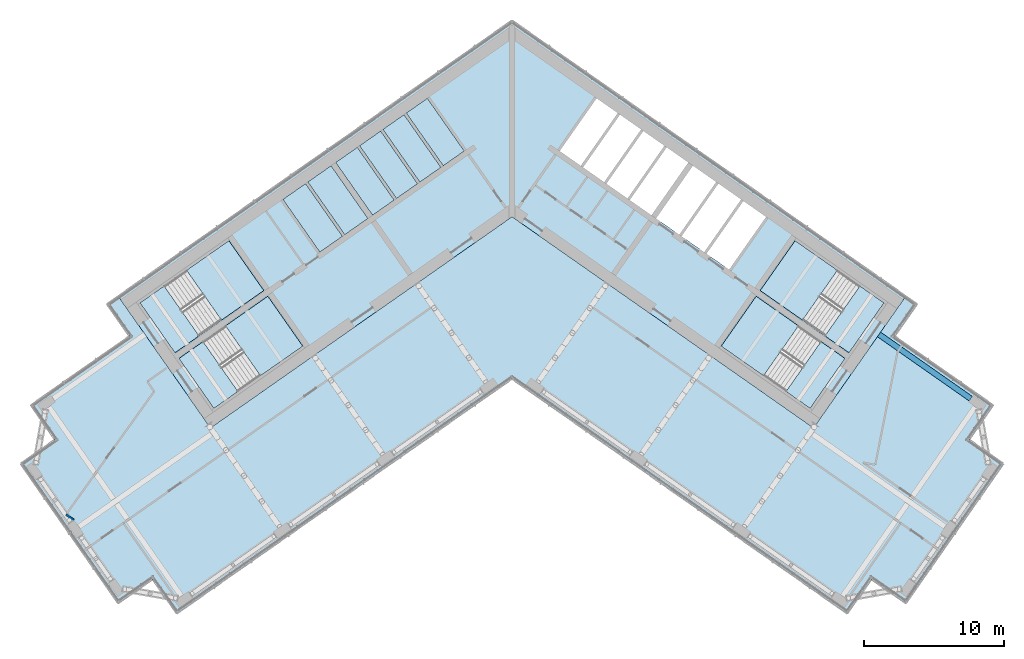
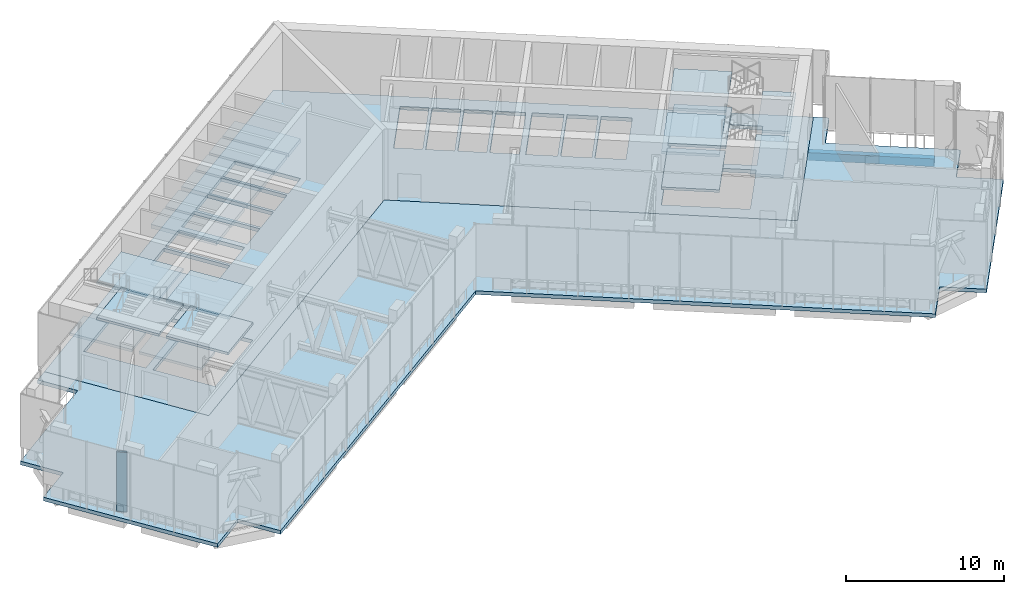
# One storey, part 3 of 19: 20 slabs, 1 beam, 1 wall, 4 elements without a shape of their own.
"""IFC4 building model written with IfcOpenShell, lengths in metres."""

import ifcopenshell
import ifcopenshell.guid

model = None  # the IFC model being written
_history = None  # IfcOwnerHistory: only IFC2X3 demands one
_inside = {}  # id of a spatial element -> (the spatial element, [elements in it])
_under = {}  # id of a project, library or spatial element -> (it, [spatial elements below it])
_declared = {}  # id of a project -> (the project, [libraries it declares])
_typed = {}  # id of a type object -> (the type object, [elements of that type])
_made_of = {}  # id of a material, layer set ... -> (it, [elements and type objects made of it])


def new_model(schema):
    """Start an empty IFC model of exactly this schema.

    Asked for "IFC4X3", IfcOpenShell would pick the latest addendum, in which some entities
    have other attributes; the version numbers below select the first issue.
    IFC2X3 requires an IfcOwnerHistory on every rooted entity: one is made here for all.
    """
    global model, _history
    if schema == "IFC4X3":
        model = ifcopenshell.file(schema_version=(4, 3, 0, 0))
    else:
        model = ifcopenshell.file(schema=schema)
    _inside.clear()
    _under.clear()
    _declared.clear()
    _typed.clear()
    _made_of.clear()
    _history = None
    if model.schema == "IFC2X3":
        org = make("IfcOrganization", Name="unknown")
        user = make(
            "IfcPersonAndOrganization",
            ThePerson=make("IfcPerson", FamilyName="unknown"),
            TheOrganization=org,
        )
        app = make(
            "IfcApplication",
            ApplicationDeveloper=org,
            Version="unknown",
            ApplicationFullName="unknown",
            ApplicationIdentifier="unknown",
        )
        _history = make(
            "IfcOwnerHistory",
            OwningUser=user,
            OwningApplication=app,
            ChangeAction="ADDED",
            CreationDate=0,
        )
    return model


def make(cls, **values):
    """One entity of the class cls with the attributes given. An attribute that is None is left unset."""
    return model.create_entity(
        cls, **{name: value for name, value in values.items() if value is not None}
    )


def rooted(cls, **values):
    """An entity with a GlobalId (a new one), such as an element, a storey or a relation."""
    return make(cls, GlobalId=ifcopenshell.guid.new(), OwnerHistory=_history, **values)


def si_unit(unit_type, name, prefix=None):
    """IfcSIUnit, for example si_unit("LENGTHUNIT", "METRE", prefix="MILLI")."""
    return make("IfcSIUnit", UnitType=unit_type, Prefix=prefix, Name=name)


def assignment(units):
    """IfcUnitAssignment: the units of a project."""
    return None if units is None else make("IfcUnitAssignment", Units=units)


def point(xyz):
    """IfcCartesianPoint."""
    return None if xyz is None else make("IfcCartesianPoint", Coordinates=xyz)


def direction(xyz):
    """IfcDirection."""
    return None if xyz is None else make("IfcDirection", DirectionRatios=xyz)


def frame(location, z_axis=None, x_axis=None):
    """IfcAxis2Placement3D, a coordinate frame: its origin and axes. An axis left out is left unset."""
    return make(
        "IfcAxis2Placement3D",
        Location=point(location),
        Axis=direction(z_axis),
        RefDirection=direction(x_axis),
    )


def frame_2d(location, x_axis=None):
    """IfcAxis2Placement2D, a coordinate frame in the plane: its origin and x axis."""
    return make(
        "IfcAxis2Placement2D", Location=point(location), RefDirection=direction(x_axis)
    )


def origin():
    """The frame at (0, 0, 0) with its axes left unset."""
    return frame((0.0, 0.0, 0.0))


def origin_2d():
    """The frame at (0, 0) in the plane with its x axis left unset."""
    return frame_2d((0.0, 0.0))


def place(relative_to, where):
    """IfcLocalPlacement: puts the frame where relative to a parent placement (None: the world)."""
    return make(
        "IfcLocalPlacement", PlacementRelTo=relative_to, RelativePlacement=where
    )


def context(
    kind, dimensions, precision=None, world=None, true_north=None, identifier=None
):
    """IfcGeometricRepresentationContext, for example the 3D "Model" context."""
    return make(
        "IfcGeometricRepresentationContext",
        ContextIdentifier=identifier,
        ContextType=kind,
        CoordinateSpaceDimension=dimensions,
        Precision=precision,
        WorldCoordinateSystem=world,
        TrueNorth=true_north,
    )


def subcontext(parent, identifier, kind, view, scale=None):
    """IfcGeometricRepresentationSubContext, for example "Body" below "Model"."""
    return make(
        "IfcGeometricRepresentationSubContext",
        ContextIdentifier=identifier,
        ContextType=kind,
        ParentContext=parent,
        TargetScale=scale,
        TargetView=view,
    )


def project(units=None, contexts=None):
    """IfcProject with its units and contexts."""
    return rooted(
        "IfcProject",
        Name="project",
        RepresentationContexts=contexts,
        UnitsInContext=assignment(units),
    )


def spatial(cls, under=None, at=None, **own):
    """A site, building, storey or space (cls), placed at a placement, below another one or the project."""
    s = rooted(cls, ObjectPlacement=at, **own)
    if under is not None:
        _under.setdefault(under.id(), (under, []))[1].append(s)
    return s


def polyline(points):
    """IfcPolyline through the points."""
    return make("IfcPolyline", Points=[point(p) for p in points])


def profile(cls, at=None, kind="AREA", **sizes):
    """A parametric profile (cls). Its sizes go by their IFC names, for example OverallWidth=200.0."""
    return make(cls, ProfileType=kind, Position=at, **sizes)


def rectangle(**sizes):
    """IfcRectangleProfileDef."""
    return profile("IfcRectangleProfileDef", **sizes)


def outline(outer, holes=None, kind="AREA"):
    """IfcArbitraryClosedProfileDef: a profile drawn as a closed curve; with holes, ...WithVoids."""
    if holes is None:
        return make("IfcArbitraryClosedProfileDef", ProfileType=kind, OuterCurve=outer)
    return make(
        "IfcArbitraryProfileDefWithVoids",
        ProfileType=kind,
        OuterCurve=outer,
        InnerCurves=holes,
    )


def extrude(swept, where, along, depth):
    """IfcExtrudedAreaSolid: the profile swept, set in the frame where, extruded along a direction by depth."""
    return make(
        "IfcExtrudedAreaSolid",
        SweptArea=swept,
        Position=where,
        ExtrudedDirection=direction(along),
        Depth=depth,
    )


def shape(context_of_items, identifier, shape_type, items):
    """IfcShapeRepresentation: the items that make up one representation, for example the "Body"."""
    return make(
        "IfcShapeRepresentation",
        ContextOfItems=context_of_items,
        RepresentationIdentifier=identifier,
        RepresentationType=shape_type,
        Items=items,
    )


def material(Name=None, Category=None):
    """IfcMaterial."""
    return make("IfcMaterial", Name=Name, Category=Category)


def layer(
    of_material, thickness, ventilated=None, Name=None, Category=None, Priority=None
):
    """IfcMaterialLayer: one layer of a wall or slab, of a material (None: an air gap)."""
    return make(
        "IfcMaterialLayer",
        Material=of_material,
        LayerThickness=thickness,
        IsVentilated=ventilated,
        Name=Name,
        Category=Category,
        Priority=Priority,
    )


def layer_set(layers, Name=None):
    """IfcMaterialLayerSet."""
    return make("IfcMaterialLayerSet", MaterialLayers=layers, LayerSetName=Name)


def material_profile(
    of_material, cross_section, Name=None, Category=None, Priority=None
):
    """IfcMaterialProfile: a cross section and its material."""
    return make(
        "IfcMaterialProfile",
        Name=Name,
        Material=of_material,
        Profile=cross_section,
        Priority=Priority,
        Category=Category,
    )


def profile_set(profiles, Name=None, composite=None):
    """IfcMaterialProfileSet."""
    return make(
        "IfcMaterialProfileSet",
        Name=Name,
        MaterialProfiles=profiles,
        CompositeProfile=composite,
    )


def made_of(thing, what):
    """Note that an element or type object is made of a material, layer set ...; save() writes the relation."""
    if what is not None:
        _made_of.setdefault(what.id(), (what, []))[1].append(thing)
    return thing


def type_object(cls, material=None, **own):
    """A type object (cls), such as IfcWallType, which elements share."""
    return made_of(rooted(cls, **own), material)


def element(
    cls,
    number,
    at=None,
    inside=None,
    cuts=None,
    type_object=None,
    material=None,
    context=None,
    identifier="Body",
    shape_type=None,
    held_by="IfcProductDefinitionShape",
    body=None,
    shapes=None,
    **own,
):
    """One element of the class cls, such as IfcWall. Its Tag is "e" and its number.

    at: its placement. inside: the storey or other place that contains it. cuts: it is an
    opening in that element (IfcRelVoidsElement). A single representation is given by context,
    identifier, shape_type and body (its items); several are given by shapes. held_by: the class
    of the entity that holds the representations. save() writes the other relations.
    """
    e = rooted(cls, Tag="e%d" % number, ObjectPlacement=at, **own)
    if body is not None:
        shapes = [shape(context, identifier, shape_type, body)]
    if shapes is not None:
        e.Representation = make(held_by, Representations=shapes)
    if inside is not None:
        _inside.setdefault(inside.id(), (inside, []))[1].append(e)
    if cuts is not None:
        rooted(
            "IfcRelVoidsElement", RelatingBuildingElement=cuts, RelatedOpeningElement=e
        )
    if type_object is not None:
        _typed.setdefault(type_object.id(), (type_object, []))[1].append(e)
    return made_of(e, material)


def aggregate(whole, parts):
    """IfcRelAggregates: a whole, such as a stair, and the parts it consists of."""
    return rooted("IfcRelAggregates", RelatingObject=whole, RelatedObjects=parts)


def save(model, path):
    """Write the relations noted so far, then the file.

    IfcRelAggregates (storeys below a building ...), IfcRelContainedInSpatialStructure (elements
    in a storey), IfcRelDefinesByType, IfcRelAssociatesMaterial and IfcRelDeclares: one each for
    every whole, place, type object, material and project.
    """
    for whole, parts in _under.values():
        aggregate(whole, parts)
    for where, things in _inside.values():
        rooted(
            "IfcRelContainedInSpatialStructure",
            RelatedElements=things,
            RelatingStructure=where,
        )
    for kind, things in _typed.values():
        rooted("IfcRelDefinesByType", RelatedObjects=things, RelatingType=kind)
    for what, things in _made_of.values():
        rooted("IfcRelAssociatesMaterial", RelatedObjects=things, RelatingMaterial=what)
    for by, libraries in _declared.values():
        rooted("IfcRelDeclares", RelatingContext=by, RelatedDefinitions=libraries)
    model.write(path)


model = new_model("IFC4")

# Units and contexts
model_context = context("Model", 3, precision=1e-05, world=origin(), true_north=direction((0.0, 1.0)))
body_context = subcontext(model_context, "Body", "Model", "MODEL_VIEW")
ifc_project = project(units=[si_unit("LENGTHUNIT", "METRE"), si_unit("AREAUNIT", "SQUARE_METRE"), si_unit("VOLUMEUNIT", "CUBIC_METRE"), si_unit("PLANEANGLEUNIT", "RADIAN"), si_unit("MASSUNIT", "GRAM", prefix="KILO")], contexts=[model_context])

# Site, building, storey
site_placement = place(None, origin())
site = spatial("IfcSite", under=ifc_project, at=site_placement, CompositionType="ELEMENT")
building_placement = place(site_placement, origin())
building = spatial("IfcBuilding", under=site, at=building_placement, Name="Tel Ilan Convention Tower", CompositionType="ELEMENT")
storey_placement = place(building_placement, frame((0.0, 0.0, 213.89990234375)))
storey = spatial("IfcBuildingStorey", under=building, at=storey_placement, Name="L50", CompositionType="ELEMENT", Elevation=213.89990234375)

# Beam
ifc_material_1 = material(Name="Concrete C40/50", Category="concrete")
ifc_material_profile = material_profile(ifc_material_1, rectangle(XDim=0.39990234375, YDim=0.60009765625, at=origin_2d()), Name="RC 400x600")
ifc_profile_set = profile_set([ifc_material_profile], Name="Concrete C40/50")
beam_type = type_object("IfcBeamType", Name="Beam RC 400x600 Concrete C40/50", PredefinedType="BEAM", material=ifc_profile_set)
beam_placement = place(storey_placement, frame((32.771484375, -14.21826171875, -0.579833984375), z_axis=(-0.819151624752, 0.573577035512, 0.0), x_axis=(-0.573577035512, -0.819151624752, 0.0)))
element("IfcBeam", 1, at=beam_placement, inside=storey, type_object=beam_type, Name="L50 beam E-E-BC-core", PredefinedType="BEAM", context=body_context, shape_type="SweptSolid", body=[
    extrude(rectangle(XDim=0.39990234375, YDim=0.60009765625, at=origin_2d()), origin(), (0.0, 0.0, 1.0), 8.0),
])

# Stair, slabs
ifc_material_2 = material(Name="Concrete C40/50", Category="concrete")
stair_type = type_object("IfcStairType", Name="Pressurised Exit Stair 32 risers 172 mm", PredefinedType="HALF_TURN_STAIR", material=ifc_material_2)
stair_1_placement = place(storey_placement, origin())
stair_1 = element("IfcStair", 2, at=stair_1_placement, inside=storey, type_object=stair_type, Name="L50 Pressurised Stair S1", PredefinedType="HALF_TURN_STAIR")
ifc_material_3 = material(Name="Concrete C40/50", Category="concrete")
ifc_layer_1 = layer(ifc_material_3, 0.199951171875)
ifc_layer_set_1 = layer_set([ifc_layer_1], Name="Concrete Stair Landing 200 mm C40/50")
slab_type_1 = type_object("IfcSlabType", Name="Concrete Stair Landing 200 mm", PredefinedType="LANDING", material=ifc_layer_set_1)
slab_1_placement = place(storey_placement, frame((0.0, 0.0, 1.175048828125)))
slab_1 = element("IfcSlab", 3, at=slab_1_placement, type_object=slab_type_1, Name="S1 landing 1", PredefinedType="LANDING", context=body_context, shape_type="SweptSolid", body=[
    extrude(outline(polyline([(-20.754638671875, -8.61181640625), (-17.7314453125, -6.494873046875), (-20.226318359375, -2.931640625), (-23.249755859375, -5.048583984375), (-20.754638671875, -8.61181640625)])), origin(), (0.0, 0.0, 1.0), 0.199951171875),
])
slab_2_placement = place(storey_placement, frame((0.0, 0.0, 2.550048828125)))
slab_2 = element("IfcSlab", 4, at=slab_2_placement, type_object=slab_type_1, Name="S1 landing 2", PredefinedType="LANDING", context=body_context, shape_type="SweptSolid", body=[
    extrude(outline(polyline([(-24.079833984375, -10.940185546875), (-22.35888671875, -9.735107421875), (-24.85400390625, -6.171875), (-26.574951171875, -7.376708984375), (-24.079833984375, -10.940185546875)])), origin(), (0.0, 0.0, 1.0), 0.199951171875),
])
slab_3_placement = place(storey_placement, frame((0.0, 0.0, 3.925048828125)))
slab_3 = element("IfcSlab", 5, at=slab_3_placement, type_object=slab_type_1, Name="S1 landing 3", PredefinedType="LANDING", context=body_context, shape_type="SweptSolid", body=[
    extrude(outline(polyline([(-20.754638671875, -8.61181640625), (-17.7314453125, -6.494873046875), (-20.226318359375, -2.931640625), (-23.249755859375, -5.048583984375), (-20.754638671875, -8.61181640625)])), origin(), (0.0, 0.0, 1.0), 0.199951171875),
])
aggregate(stair_1, [slab_1, slab_2, slab_3])

stair_2_placement = place(storey_placement, origin())
stair_2 = element("IfcStair", 6, at=stair_2_placement, inside=storey, type_object=stair_type, Name="L50 Pressurised Stair S2", PredefinedType="HALF_TURN_STAIR")
slab_4_placement = place(storey_placement, frame((0.0, 0.0, 1.175048828125)))
slab_4 = element("IfcSlab", 7, at=slab_4_placement, type_object=slab_type_1, Name="S2 landing 1", PredefinedType="LANDING", context=body_context, shape_type="SweptSolid", body=[
    extrude(outline(polyline([(-17.972900390625, -12.584716796875), (-14.949462890625, -10.4677734375), (-17.444580078125, -6.904541015625), (-20.468017578125, -9.021484375), (-17.972900390625, -12.584716796875)])), origin(), (0.0, 0.0, 1.0), 0.199951171875),
])
slab_5_placement = place(storey_placement, frame((0.0, 0.0, 2.550048828125)))
slab_5 = element("IfcSlab", 8, at=slab_5_placement, type_object=slab_type_1, Name="S2 landing 2", PredefinedType="LANDING", context=body_context, shape_type="SweptSolid", body=[
    extrude(outline(polyline([(-21.2978515625, -14.9130859375), (-19.5771484375, -13.7080078125), (-22.072021484375, -10.144775390625), (-23.79296875, -11.349609375), (-21.2978515625, -14.9130859375)])), origin(), (0.0, 0.0, 1.0), 0.199951171875),
])
slab_6_placement = place(storey_placement, frame((0.0, 0.0, 3.925048828125)))
slab_6 = element("IfcSlab", 9, at=slab_6_placement, type_object=slab_type_1, Name="S2 landing 3", PredefinedType="LANDING", context=body_context, shape_type="SweptSolid", body=[
    extrude(outline(polyline([(-17.972900390625, -12.584716796875), (-14.949462890625, -10.4677734375), (-17.444580078125, -6.904541015625), (-20.468017578125, -9.021484375), (-17.972900390625, -12.584716796875)])), origin(), (0.0, 0.0, 1.0), 0.199951171875),
])
aggregate(stair_2, [slab_4, slab_5, slab_6])

stair_3_placement = place(storey_placement, origin())
stair_3 = element("IfcStair", 10, at=stair_3_placement, inside=storey, type_object=stair_type, Name="L50 Pressurised Stair S3", PredefinedType="HALF_TURN_STAIR")
slab_7_placement = place(storey_placement, frame((0.0, 0.0, 1.175048828125)))
slab_7 = element("IfcSlab", 11, at=slab_7_placement, type_object=slab_type_1, Name="S3 landing 1", PredefinedType="LANDING", context=body_context, shape_type="SweptSolid", body=[
    extrude(outline(polyline([(23.249755859375, -5.048583984375), (20.226318359375, -2.931640625), (17.7314453125, -6.494873046875), (20.754638671875, -8.61181640625), (23.249755859375, -5.048583984375)])), origin(), (0.0, 0.0, 1.0), 0.199951171875),
])
slab_8_placement = place(storey_placement, frame((0.0, 0.0, 2.550048828125)))
slab_8 = element("IfcSlab", 12, at=slab_8_placement, type_object=slab_type_1, Name="S3 landing 2", PredefinedType="LANDING", context=body_context, shape_type="SweptSolid", body=[
    extrude(outline(polyline([(26.574951171875, -7.376708984375), (24.85400390625, -6.171875), (22.35888671875, -9.735107421875), (24.079833984375, -10.940185546875), (26.574951171875, -7.376708984375)])), origin(), (0.0, 0.0, 1.0), 0.199951171875),
])
slab_9_placement = place(storey_placement, frame((0.0, 0.0, 3.925048828125)))
slab_9 = element("IfcSlab", 13, at=slab_9_placement, type_object=slab_type_1, Name="S3 landing 3", PredefinedType="LANDING", context=body_context, shape_type="SweptSolid", body=[
    extrude(outline(polyline([(23.249755859375, -5.048583984375), (20.226318359375, -2.931640625), (17.7314453125, -6.494873046875), (20.754638671875, -8.61181640625), (23.249755859375, -5.048583984375)])), origin(), (0.0, 0.0, 1.0), 0.199951171875),
])
aggregate(stair_3, [slab_7, slab_8, slab_9])

stair_4_placement = place(storey_placement, origin())
stair_4 = element("IfcStair", 14, at=stair_4_placement, inside=storey, type_object=stair_type, Name="L50 Pressurised Stair S4", PredefinedType="HALF_TURN_STAIR")
slab_10_placement = place(storey_placement, frame((0.0, 0.0, 1.175048828125)))
slab_10 = element("IfcSlab", 15, at=slab_10_placement, type_object=slab_type_1, Name="S4 landing 1", PredefinedType="LANDING", context=body_context, shape_type="SweptSolid", body=[
    extrude(outline(polyline([(20.468017578125, -9.021484375), (17.444580078125, -6.904541015625), (14.949462890625, -10.4677734375), (17.972900390625, -12.584716796875), (20.468017578125, -9.021484375)])), origin(), (0.0, 0.0, 1.0), 0.199951171875),
])
slab_11_placement = place(storey_placement, frame((0.0, 0.0, 2.550048828125)))
slab_11 = element("IfcSlab", 16, at=slab_11_placement, type_object=slab_type_1, Name="S4 landing 2", PredefinedType="LANDING", context=body_context, shape_type="SweptSolid", body=[
    extrude(outline(polyline([(23.79296875, -11.349609375), (22.072021484375, -10.144775390625), (19.5771484375, -13.7080078125), (21.2978515625, -14.9130859375), (23.79296875, -11.349609375)])), origin(), (0.0, 0.0, 1.0), 0.199951171875),
])
slab_12_placement = place(storey_placement, frame((0.0, 0.0, 3.925048828125)))
slab_12 = element("IfcSlab", 17, at=slab_12_placement, type_object=slab_type_1, Name="S4 landing 3", PredefinedType="LANDING", context=body_context, shape_type="SweptSolid", body=[
    extrude(outline(polyline([(20.468017578125, -9.021484375), (17.444580078125, -6.904541015625), (14.949462890625, -10.4677734375), (17.972900390625, -12.584716796875), (20.468017578125, -9.021484375)])), origin(), (0.0, 0.0, 1.0), 0.199951171875),
])
aggregate(stair_4, [slab_10, slab_11, slab_12])

# Slabs
ifc_material_4 = material(Name="Concrete C40/50", Category="concrete")
ifc_layer_2 = layer(ifc_material_4, 0.280029296875)
ifc_layer_set_2 = layer_set([ifc_layer_2], Name="Core Floor Slab 280 mm C40/50")
slab_type_2 = type_object("IfcSlabType", Name="Core Floor Slab 280 mm C40/50", PredefinedType="FLOOR", material=ifc_layer_set_2)
slab_13_placement = place(storey_placement, frame((0.0, 0.0, -0.27978515625)))
element("IfcSlab", 18, at=slab_13_placement, inside=storey, type_object=slab_type_2, Name="L50 core floor 1", PredefinedType="FLOOR", context=body_context, shape_type="SweptSolid", body=[
    extrude(outline(polyline([(28.1396484375, -6.885498046875), (21.54345703125, -16.3056640625), (0.0, -1.220703125), (-21.54345703125, -16.3056640625), (-28.1396484375, -6.885498046875), (0.0, 12.818115234375), (28.1396484375, -6.885498046875)]), holes=[polyline([(-14.949462890625, -10.4677734375), (-17.444580078125, -6.904541015625), (-22.072021484375, -10.144775390625), (-19.5771484375, -13.7080078125), (-14.949462890625, -10.4677734375)]), polyline([(-17.7314453125, -6.494873046875), (-20.226318359375, -2.931640625), (-24.85400390625, -6.171875), (-22.35888671875, -9.735107421875), (-17.7314453125, -6.494873046875)]), polyline([(-14.75048828125, 1.14697265625), (-16.368408203125, 0.01416015625), (-13.729736328125, -3.75390625), (-12.112060546875, -2.62109375), (-14.75048828125, 1.14697265625)]), polyline([(-12.927734375, 2.423095703125), (-14.586669921875, 1.26171875), (-11.947998046875, -2.506591796875), (-10.289306640625, -1.344970703125), (-12.927734375, 2.423095703125)]), polyline([(-11.053955078125, 3.735107421875), (-12.60009765625, 2.652587890625), (-9.961669921875, -1.115478515625), (-8.41552734375, -0.032958984375), (-11.053955078125, 3.735107421875)]), polyline([(-9.385009765625, 4.90380859375), (-10.89013671875, 3.849853515625), (-8.251708984375, 0.081787109375), (-6.74658203125, 1.1357421875), (-9.385009765625, 4.90380859375)]), polyline([(-7.716064453125, 6.072509765625), (-9.22119140625, 5.0185546875), (-6.582763671875, 1.25048828125), (-5.077392578125, 2.304443359375), (-7.716064453125, 6.072509765625)]), polyline([(-6.046875, 7.2412109375), (-7.552001953125, 6.187255859375), (-4.913818359375, 2.419189453125), (-3.408447265625, 3.47314453125), (-6.046875, 7.2412109375)]), polyline([(4.913818359375, 2.419189453125), (7.552001953125, 6.187255859375), (6.046875, 7.2412109375), (3.408447265625, 3.47314453125), (4.913818359375, 2.419189453125)]), polyline([(17.444580078125, -6.904541015625), (14.949462890625, -10.4677734375), (19.5771484375, -13.7080078125), (22.072021484375, -10.144775390625), (17.444580078125, -6.904541015625)]), polyline([(20.226318359375, -2.931640625), (17.7314453125, -6.494873046875), (22.35888671875, -9.735107421875), (24.85400390625, -6.171875), (20.226318359375, -2.931640625)]), polyline([(15.511474609375, -5.00146484375), (18.14990234375, -1.2333984375), (16.531982421875, -0.1005859375), (13.8935546875, -3.86865234375), (15.511474609375, -5.00146484375)]), polyline([(13.729736328125, -3.75390625), (16.368408203125, 0.01416015625), (14.75048828125, 1.14697265625), (12.112060546875, -2.62109375), (13.729736328125, -3.75390625)]), polyline([(11.947998046875, -2.506591796875), (14.586669921875, 1.26171875), (12.927734375, 2.423095703125), (10.289306640625, -1.344970703125), (11.947998046875, -2.506591796875)]), polyline([(9.961669921875, -1.115478515625), (12.60009765625, 2.652587890625), (11.053955078125, 3.735107421875), (8.41552734375, -0.032958984375), (9.961669921875, -1.115478515625)]), polyline([(6.74658203125, 1.1357421875), (8.251708984375, 0.081787109375), (10.89013671875, 3.849853515625), (9.385009765625, 4.90380859375), (6.74658203125, 1.1357421875)]), polyline([(5.077392578125, 2.304443359375), (6.582763671875, 1.25048828125), (9.22119140625, 5.0185546875), (7.716064453125, 6.072509765625), (5.077392578125, 2.304443359375)])]), origin(), (0.0, 0.0, 1.0), 0.27978515625),
])
ifc_material_5 = material(Name="Concrete C40/50", Category="concrete")
ifc_layer_3 = layer(ifc_material_5, 0.280029296875)
ifc_layer_set_3 = layer_set([ifc_layer_3], Name="Flat Plate Floor Slab 280 mm C40/50")
slab_type_3 = type_object("IfcSlabType", Name="Flat Plate Floor Slab 280 mm C40/50", PredefinedType="FLOOR", material=ifc_layer_set_3)
slab_14_placement = place(storey_placement, frame((0.0, 0.0, -0.27978515625)))
element("IfcSlab", 19, at=slab_14_placement, inside=storey, type_object=slab_type_3, Name="L50 floor slab", PredefinedType="FLOOR", context=body_context, shape_type="SweptSolid", body=[
    extrude(outline(polyline([(28.958740234375, -7.458984375), (27.352783203125, -9.752685546875), (34.3974609375, -14.685302734375), (32.6767578125, -17.142822265625), (35.13427734375, -18.863525390625), (28.13671875, -28.857421875), (25.67919921875, -27.136474609375), (23.95849609375, -29.593994140625), (0.0, -12.818115234375), (-23.95849609375, -29.593994140625), (-25.67919921875, -27.136474609375), (-28.13671875, -28.857421875), (-35.13427734375, -18.863525390625), (-32.6767578125, -17.142822265625), (-34.3974609375, -14.685302734375), (-27.352783203125, -9.752685546875), (-28.958740234375, -7.458984375), (-28.1396484375, -6.885498046875), (-21.54345703125, -16.3056640625), (0.0, -1.220703125), (21.54345703125, -16.3056640625), (28.1396484375, -6.885498046875), (28.958740234375, -7.458984375)])), origin(), (0.0, 0.0, 1.0), 0.27978515625),
])
ifc_material_6 = material(Name="Concrete C40/50", Category="concrete")
ifc_layer_4 = layer(ifc_material_6, 0.300048828125)
ifc_layer_set_4 = layer_set([ifc_layer_4], Name="Lift Machine Room Deck 300 mm C40/50")
slab_type_4 = type_object("IfcSlabType", Name="Lift Machine Room Deck 300 mm C40/50", PredefinedType="ROOF", material=ifc_layer_set_4)
slab_15_placement = place(storey_placement, frame((0.0, 0.0, 2.800048828125)))
element("IfcSlab", 20, at=slab_15_placement, inside=storey, type_object=slab_type_4, Name="L50 machine room deck over lift LR1", PredefinedType="ROOF", context=body_context, shape_type="SweptSolid", body=[
    extrude(outline(polyline([(-3.408447265625, 3.47314453125), (-4.913818359375, 2.419189453125), (-7.552001953125, 6.187255859375), (-6.046875, 7.2412109375), (-3.408447265625, 3.47314453125)])), origin(), (0.0, 0.0, 1.0), 0.300048828125),
])
slab_16_placement = place(storey_placement, frame((0.0, 0.0, 2.800048828125)))
element("IfcSlab", 21, at=slab_16_placement, inside=storey, type_object=slab_type_4, Name="L50 machine room deck over lift LR2", PredefinedType="ROOF", context=body_context, shape_type="SweptSolid", body=[
    extrude(outline(polyline([(-5.077392578125, 2.304443359375), (-6.582763671875, 1.25048828125), (-9.22119140625, 5.0185546875), (-7.716064453125, 6.072509765625), (-5.077392578125, 2.304443359375)])), origin(), (0.0, 0.0, 1.0), 0.300048828125),
])
slab_17_placement = place(storey_placement, frame((0.0, 0.0, 2.800048828125)))
element("IfcSlab", 22, at=slab_17_placement, inside=storey, type_object=slab_type_4, Name="L50 machine room deck over lift LR3", PredefinedType="ROOF", context=body_context, shape_type="SweptSolid", body=[
    extrude(outline(polyline([(-6.74658203125, 1.1357421875), (-8.251708984375, 0.081787109375), (-10.89013671875, 3.849853515625), (-9.385009765625, 4.90380859375), (-6.74658203125, 1.1357421875)])), origin(), (0.0, 0.0, 1.0), 0.300048828125),
])
slab_18_placement = place(storey_placement, frame((0.0, 0.0, 2.800048828125)))
element("IfcSlab", 23, at=slab_18_placement, inside=storey, type_object=slab_type_4, Name="L50 machine room deck over lift LR4", PredefinedType="ROOF", context=body_context, shape_type="SweptSolid", body=[
    extrude(outline(polyline([(-8.41552734375, -0.032958984375), (-9.961669921875, -1.115478515625), (-12.60009765625, 2.652587890625), (-11.053955078125, 3.735107421875), (-8.41552734375, -0.032958984375)])), origin(), (0.0, 0.0, 1.0), 0.300048828125),
])
slab_19_placement = place(storey_placement, frame((0.0, 0.0, 2.800048828125)))
element("IfcSlab", 24, at=slab_19_placement, inside=storey, type_object=slab_type_4, Name="L50 machine room deck over lift LR5", PredefinedType="ROOF", context=body_context, shape_type="SweptSolid", body=[
    extrude(outline(polyline([(-10.289306640625, -1.344970703125), (-11.947998046875, -2.506591796875), (-14.586669921875, 1.26171875), (-12.927734375, 2.423095703125), (-10.289306640625, -1.344970703125)])), origin(), (0.0, 0.0, 1.0), 0.300048828125),
])
slab_20_placement = place(storey_placement, frame((0.0, 0.0, 2.800048828125)))
element("IfcSlab", 25, at=slab_20_placement, inside=storey, type_object=slab_type_4, Name="L50 machine room deck over lift LR6", PredefinedType="ROOF", context=body_context, shape_type="SweptSolid", body=[
    extrude(outline(polyline([(-12.112060546875, -2.62109375), (-13.729736328125, -3.75390625), (-16.368408203125, 0.01416015625), (-14.75048828125, 1.14697265625), (-12.112060546875, -2.62109375)])), origin(), (0.0, 0.0, 1.0), 0.300048828125),
])

# Wall
ifc_material_7 = material(Name="Plasterboard on Steel Studs", Category="steel")
ifc_layer_5 = layer(ifc_material_7, 0.14990234375)
ifc_layer_set_5 = layer_set([ifc_layer_5], Name="Fire-rated Partition 150 EI 60")
wall_type = type_object("IfcWallType", Name="Fire-rated Partition 150 EI 60", PredefinedType="PARTITIONING", material=ifc_layer_set_5)
wall_placement = place(storey_placement, frame((-31.317138671875, -22.880859375, 0.0), z_axis=(0.0, 0.0, 1.0), x_axis=(-0.812941311713, 0.582345622213, 0.0)))
element("IfcWall", 26, at=wall_placement, inside=storey, type_object=wall_type, Name="Partition 016", PredefinedType="PARTITIONING", context=body_context, shape_type="SweptSolid", body=[
    extrude(rectangle(XDim=0.6669921875, YDim=0.14990234375, at=frame_2d((0.33349609375, 0.0))), origin(), (0.0, 0.0, 1.0), 4.60009765625),
])

save(model, "model.ifc")
